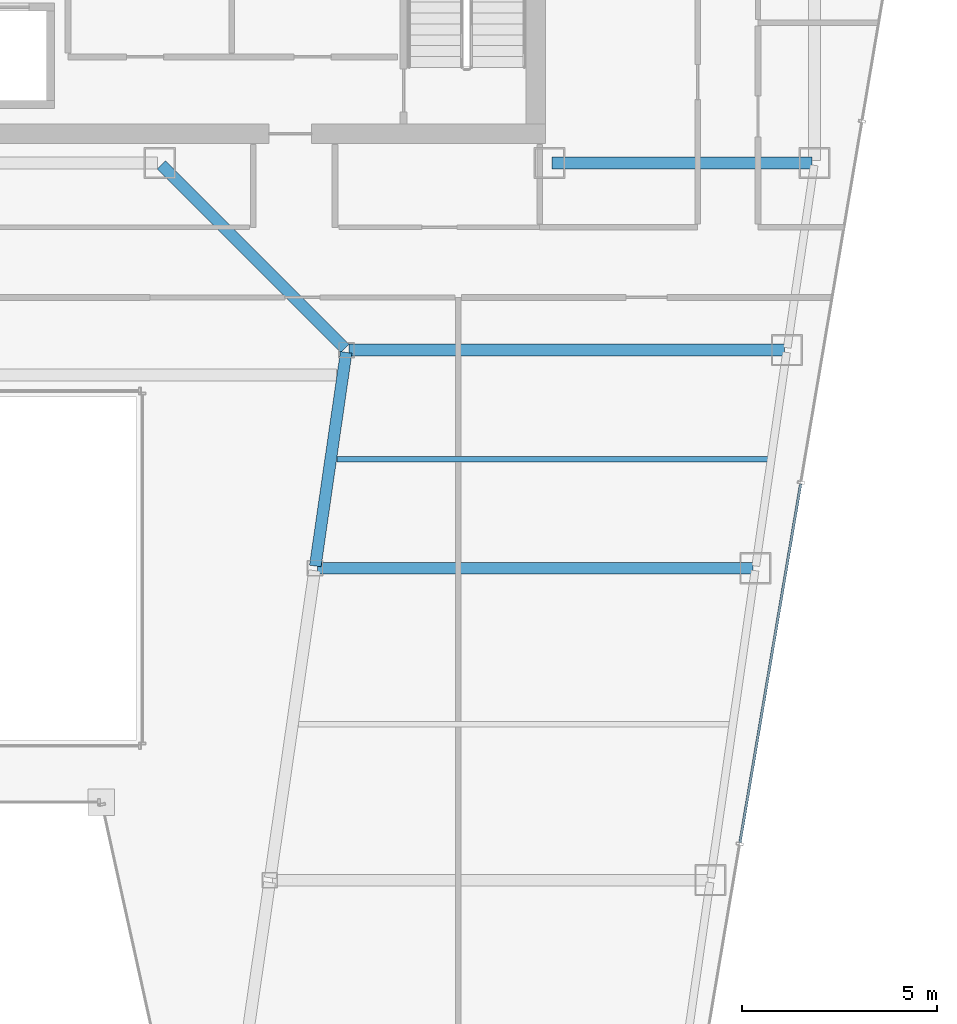
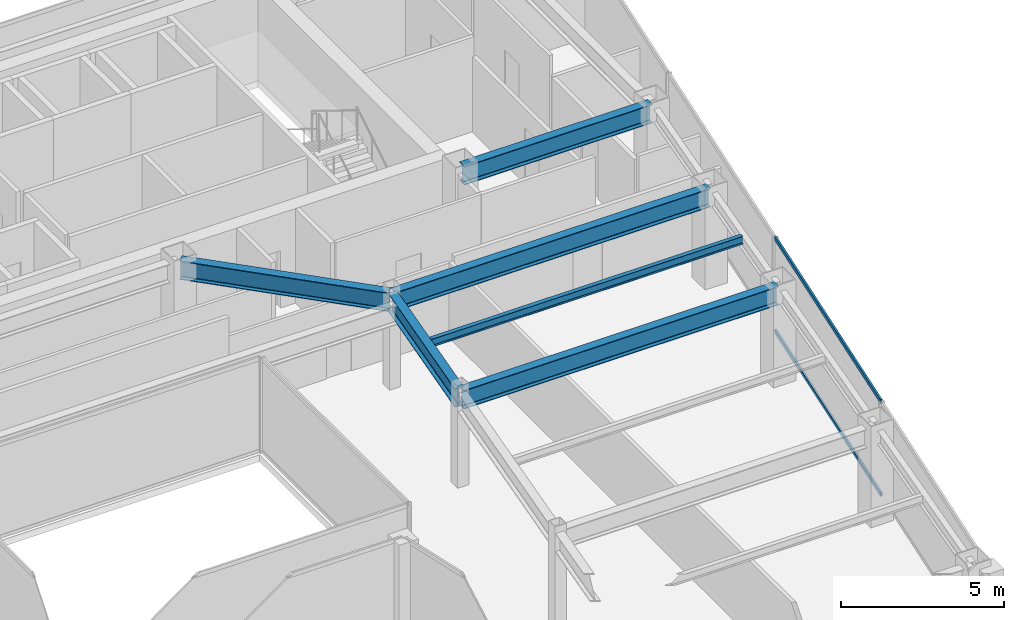
# One storey, part 21 of 35: 6 beams, 2 members, 1 element without a shape of its own.
"""IFC4 building model written with IfcOpenShell, lengths in metres."""

from ifc_helpers import new_model, si_unit, direction, frame, origin, origin_2d, place, context, subcontext, project, spatial, hollow_rectangle, i_section, extrude, material, material_profile, profile_set, type_object, element, aggregate, save


model = new_model("IFC4")

# Units and contexts
model_context = context("Model", 3, precision=1e-05, world=origin(), true_north=direction((0.0, 1.0)))
body_context = subcontext(model_context, "Body", "Model", "MODEL_VIEW")
ifc_project = project(units=[si_unit("LENGTHUNIT", "METRE"), si_unit("AREAUNIT", "SQUARE_METRE"), si_unit("VOLUMEUNIT", "CUBIC_METRE"), si_unit("PLANEANGLEUNIT", "RADIAN"), si_unit("MASSUNIT", "GRAM", prefix="KILO")], contexts=[model_context])

# Site, building, storey
site_placement = place(None, origin())
site = spatial("IfcSite", under=ifc_project, at=site_placement, CompositionType="ELEMENT")
building_placement = place(site_placement, origin())
building = spatial("IfcBuilding", under=site, at=building_placement, Name="Saevonmaru Cultural Tower", CompositionType="ELEMENT")
storey_placement = place(building_placement, frame((0.0, 0.0, 217.0)))
storey = spatial("IfcBuildingStorey", under=building, at=storey_placement, Name="L50", CompositionType="ELEMENT", Elevation=217.0)

# Beams
ifc_material_1 = material(Name="Steel SM355", Category="steel")
ifc_material_profile_1 = material_profile(ifc_material_1, i_section(OverallWidth=0.300048828125, OverallDepth=0.699951171875, WebThickness=0.012939453125, FlangeThickness=0.02392578125, FilletRadius=0.02587890625, at=origin_2d()), Name="H-700x300x13x24")
ifc_profile_set_1 = profile_set([ifc_material_profile_1], Name="Steel SM355")
beam_type_1 = type_object("IfcBeamType", Name="BM-G-H700", PredefinedType="BEAM", material=ifc_profile_set_1)
beam_1_placement = place(storey_placement, frame((46.4599609375, 42.39990234375, 3.199951171875), z_axis=(1.0, 0.0, 0.0), x_axis=(0.0, 1.0, 0.0)))
element("IfcBeam", 1, at=beam_1_placement, inside=storey, type_object=beam_type_1, Name="L50 Core South Girder 5", PredefinedType="BEAM", context=body_context, shape_type="SweptSolid", body=[
    extrude(i_section(OverallWidth=0.300048828125, OverallDepth=0.699951171875, WebThickness=0.012939453125, FlangeThickness=0.02392578125, FilletRadius=0.02587890625, at=origin_2d()), origin(), (0.0, 0.0, 1.0), 6.679931640625),
])
beam_2_placement = place(storey_placement, frame((40.3916015625, 32.059326171875, 3.199951171875), z_axis=(0.142964121327, 0.989727871697, 0.0), x_axis=(-0.989727871697, 0.142964121327, 0.0)))
element("IfcBeam", 2, at=beam_2_placement, inside=storey, type_object=beam_type_1, Name="L50 East Atrium Girder 3", PredefinedType="BEAM", context=body_context, shape_type="SweptSolid", body=[
    extrude(i_section(OverallWidth=0.300048828125, OverallDepth=0.699951171875, WebThickness=0.012939453125, FlangeThickness=0.02392578125, FilletRadius=0.02587890625, at=origin_2d()), origin(), (0.0, 0.0, 1.0), 5.5380859375),
])
beam_3_placement = place(storey_placement, frame((41.149658203125, 37.642578125, 3.199951171875), z_axis=(-0.706538566564, 0.707674539572, 0.0), x_axis=(-0.707674539572, -0.706538566564, 0.0)))
element("IfcBeam", 3, at=beam_3_placement, inside=storey, type_object=beam_type_1, Name="L50 East Atrium Girder 4", PredefinedType="BEAM", context=body_context, shape_type="SweptSolid", body=[
    extrude(i_section(OverallWidth=0.300048828125, OverallDepth=0.699951171875, WebThickness=0.012939453125, FlangeThickness=0.02392578125, FilletRadius=0.02587890625, at=origin_2d()), origin(), (0.0, 0.0, 1.0), 6.662353515625),
])
for number, where, z_axis, x_axis, name in (
    (4, (40.443115234375, 32.0, 3.199951171875), (1.0, 0.0, 0.0), (0.0, 1.0, 0.0), "L50 East Wing Transverse Girder 3"),
    (5, (41.251953125, 37.60009765625, 3.199951171875), (1.0, 0.0, 0.0), (0.0, 1.0, 0.0), "L50 East Wing Transverse Girder 4"),
):
    element("IfcBeam", number, at=place(storey_placement, frame(where, z_axis=z_axis, x_axis=x_axis)), inside=storey, type_object=beam_type_1, Name=name, PredefinedType="BEAM", context=body_context, shape_type="SweptSolid", body=[
        extrude(i_section(OverallWidth=0.300048828125, OverallDepth=0.699951171875, WebThickness=0.012939453125, FlangeThickness=0.02392578125, FilletRadius=0.02587890625, at=origin_2d()), origin(), (0.0, 0.0, 1.0), 11.179931640625),
    ])
ifc_material_profile_2 = material_profile(ifc_material_1, i_section(OverallWidth=0.14990234375, OverallDepth=0.300048828125, WebThickness=0.006591796875, FlangeThickness=0.009033203125, FilletRadius=0.012939453125, at=origin_2d()), Name="H-300x150x6.5x9")
ifc_profile_set_2 = profile_set([ifc_material_profile_2], Name="Steel SM355")
beam_type_2 = type_object("IfcBeamType", Name="BM-J-H300", PredefinedType="JOIST", material=ifc_profile_set_2)
beam_4_placement = place(storey_placement, frame((40.945556640625, 34.800048828125, 3.39990234375), z_axis=(1.0, 0.0, 0.0), x_axis=(0.0, 1.0, 0.0)))
element("IfcBeam", 6, at=beam_4_placement, inside=storey, type_object=beam_type_2, Name="L50 East Wing Floor Joist 3", PredefinedType="JOIST", context=body_context, shape_type="SweptSolid", body=[
    extrude(i_section(OverallWidth=0.14990234375, OverallDepth=0.300048828125, WebThickness=0.006591796875, FlangeThickness=0.009033203125, FilletRadius=0.012939453125, at=origin_2d()), origin(), (0.0, 0.0, 1.0), 11.08203125),
])

# Curtain wall, members
ifc_material_2 = material(Name="Satin Bronze Anodised Aluminium", Category="aluminium")
curtain_wall_type = type_object("IfcCurtainWallType", Name="CW-TYP-B", PredefinedType="NOTDEFINED", material=ifc_material_2)
curtain_wall_placement = place(storey_placement, origin())
curtain_wall = element("IfcCurtainWall", 7, at=curtain_wall_placement, inside=storey, type_object=curtain_wall_type, Name="L50 Unitised Curtain Wall E8", PredefinedType="NOTDEFINED")
ifc_material_profile_3 = material_profile(ifc_material_2, hollow_rectangle(XDim=0.06494140625, YDim=0.14990234375, WallThickness=0.00390625, at=origin_2d()), Name="ALU-TRAN-150x65x4")
ifc_profile_set_3 = profile_set([ifc_material_profile_3], Name="Satin Bronze Anodised Aluminium")
member_type = type_object("IfcMemberType", Name="TR-CW-150x65", PredefinedType="USERDEFINED", material=ifc_profile_set_3)
member_1_placement = place(storey_placement, frame((51.287109375, 24.961669921875, 0.032470703125), z_axis=(0.166921263871, 0.985970228591, 0.0), x_axis=(-0.985970228591, 0.166921263871, 0.0)))
member_1 = element("IfcMember", 8, at=member_1_placement, type_object=member_type, Name="CW-TW-L50-E8 transom 2.1", ObjectType="TRANSOM", PredefinedType="USERDEFINED", context=body_context, shape_type="SweptSolid", body=[
    extrude(hollow_rectangle(XDim=0.06494140625, YDim=0.14990234375, WallThickness=0.00390625, at=origin_2d()), origin(), (0.0, 0.0, 1.0), 9.33740234375),
])
member_2_placement = place(storey_placement, frame((51.287109375, 24.961669921875, 3.517578125), z_axis=(0.166921263871, 0.985970228591, 0.0), x_axis=(-0.985970228591, 0.166921263871, 0.0)))
member_2 = element("IfcMember", 9, at=member_2_placement, type_object=member_type, Name="CW-TW-L50-E8 transom 2.2", ObjectType="TRANSOM", PredefinedType="USERDEFINED", context=body_context, shape_type="SweptSolid", body=[
    extrude(hollow_rectangle(XDim=0.06494140625, YDim=0.14990234375, WallThickness=0.00390625, at=origin_2d()), origin(), (0.0, 0.0, 1.0), 9.33740234375),
])
aggregate(curtain_wall, [member_1, member_2])

save(model, "model.ifc")
